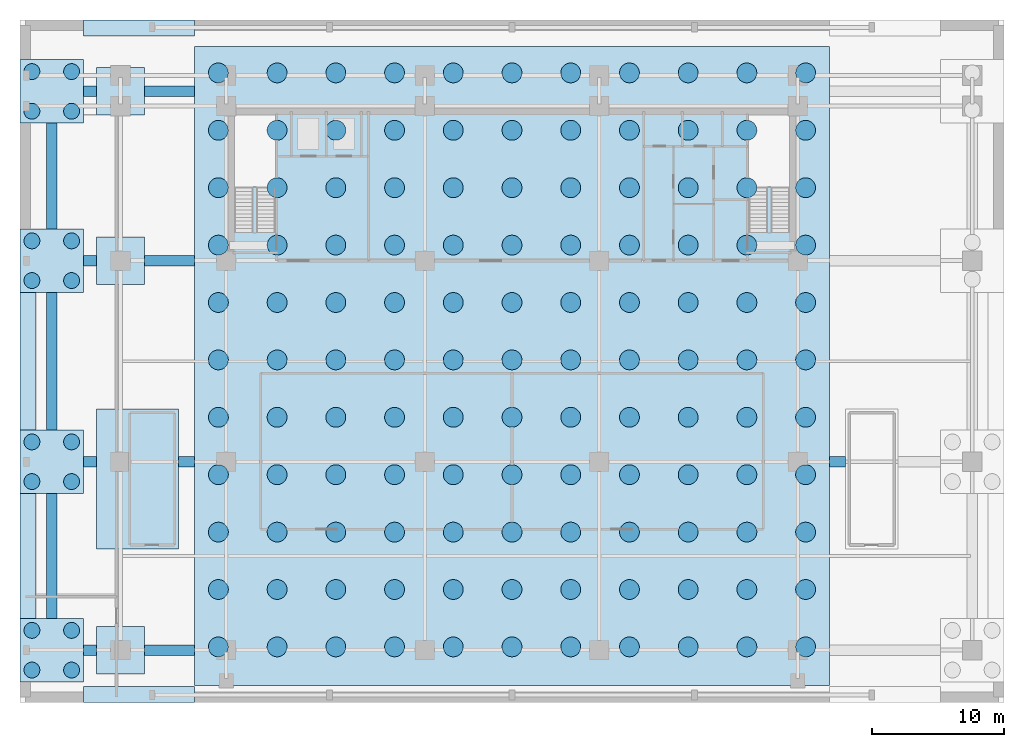
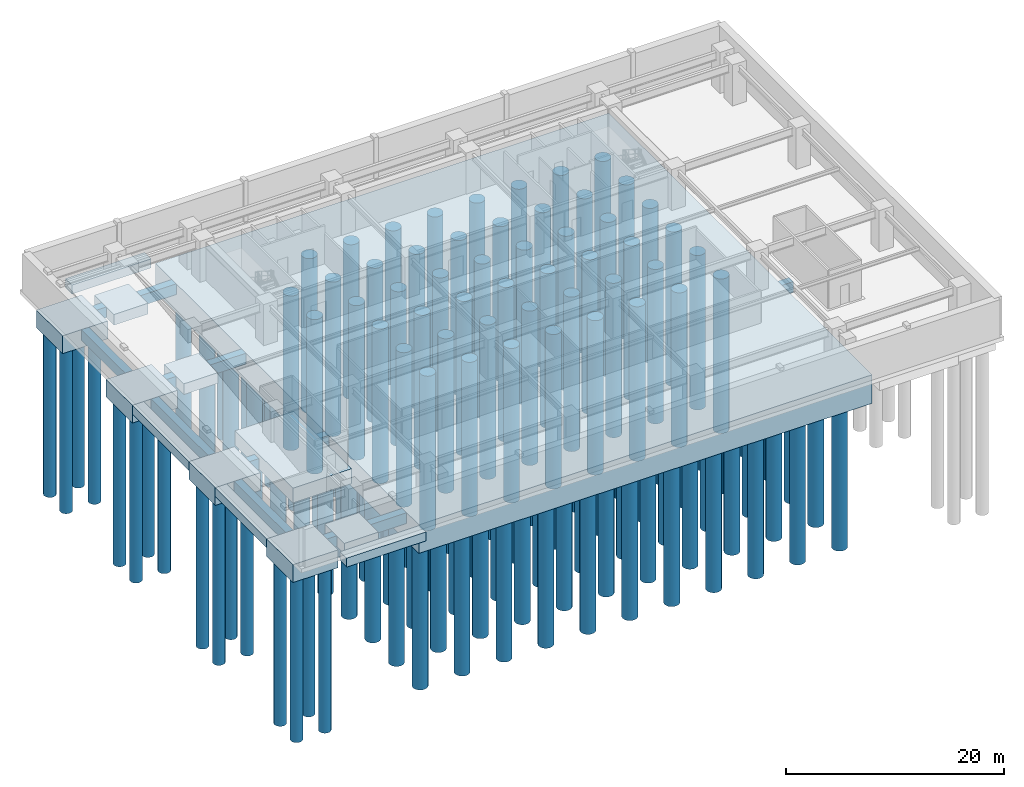
# One storey, part 1 of 9: 137 piles, 25 footings.
"""IFC4 building model written with IfcOpenShell, lengths in metres."""

import ifcopenshell
import ifcopenshell.guid

model = None  # the IFC model being written
_history = None  # IfcOwnerHistory: only IFC2X3 demands one
_inside = {}  # id of a spatial element -> (the spatial element, [elements in it])
_under = {}  # id of a project, library or spatial element -> (it, [spatial elements below it])
_declared = {}  # id of a project -> (the project, [libraries it declares])
_typed = {}  # id of a type object -> (the type object, [elements of that type])
_made_of = {}  # id of a material, layer set ... -> (it, [elements and type objects made of it])


def new_model(schema):
    """Start an empty IFC model of exactly this schema.

    Asked for "IFC4X3", IfcOpenShell would pick the latest addendum, in which some entities
    have other attributes; the version numbers below select the first issue.
    IFC2X3 requires an IfcOwnerHistory on every rooted entity: one is made here for all.
    """
    global model, _history
    if schema == "IFC4X3":
        model = ifcopenshell.file(schema_version=(4, 3, 0, 0))
    else:
        model = ifcopenshell.file(schema=schema)
    _inside.clear()
    _under.clear()
    _declared.clear()
    _typed.clear()
    _made_of.clear()
    _history = None
    if model.schema == "IFC2X3":
        org = make("IfcOrganization", Name="unknown")
        user = make(
            "IfcPersonAndOrganization",
            ThePerson=make("IfcPerson", FamilyName="unknown"),
            TheOrganization=org,
        )
        app = make(
            "IfcApplication",
            ApplicationDeveloper=org,
            Version="unknown",
            ApplicationFullName="unknown",
            ApplicationIdentifier="unknown",
        )
        _history = make(
            "IfcOwnerHistory",
            OwningUser=user,
            OwningApplication=app,
            ChangeAction="ADDED",
            CreationDate=0,
        )
    return model


def make(cls, **values):
    """One entity of the class cls with the attributes given. An attribute that is None is left unset."""
    return model.create_entity(
        cls, **{name: value for name, value in values.items() if value is not None}
    )


def rooted(cls, **values):
    """An entity with a GlobalId (a new one), such as an element, a storey or a relation."""
    return make(cls, GlobalId=ifcopenshell.guid.new(), OwnerHistory=_history, **values)


def si_unit(unit_type, name, prefix=None):
    """IfcSIUnit, for example si_unit("LENGTHUNIT", "METRE", prefix="MILLI")."""
    return make("IfcSIUnit", UnitType=unit_type, Prefix=prefix, Name=name)


def assignment(units):
    """IfcUnitAssignment: the units of a project."""
    return None if units is None else make("IfcUnitAssignment", Units=units)


def point(xyz):
    """IfcCartesianPoint."""
    return None if xyz is None else make("IfcCartesianPoint", Coordinates=xyz)


def direction(xyz):
    """IfcDirection."""
    return None if xyz is None else make("IfcDirection", DirectionRatios=xyz)


def frame(location, z_axis=None, x_axis=None):
    """IfcAxis2Placement3D, a coordinate frame: its origin and axes. An axis left out is left unset."""
    return make(
        "IfcAxis2Placement3D",
        Location=point(location),
        Axis=direction(z_axis),
        RefDirection=direction(x_axis),
    )


def frame_2d(location, x_axis=None):
    """IfcAxis2Placement2D, a coordinate frame in the plane: its origin and x axis."""
    return make(
        "IfcAxis2Placement2D", Location=point(location), RefDirection=direction(x_axis)
    )


def origin():
    """The frame at (0, 0, 0) with its axes left unset."""
    return frame((0.0, 0.0, 0.0))


def origin_2d():
    """The frame at (0, 0) in the plane with its x axis left unset."""
    return frame_2d((0.0, 0.0))


def place(relative_to, where):
    """IfcLocalPlacement: puts the frame where relative to a parent placement (None: the world)."""
    return make(
        "IfcLocalPlacement", PlacementRelTo=relative_to, RelativePlacement=where
    )


def context(
    kind, dimensions, precision=None, world=None, true_north=None, identifier=None
):
    """IfcGeometricRepresentationContext, for example the 3D "Model" context."""
    return make(
        "IfcGeometricRepresentationContext",
        ContextIdentifier=identifier,
        ContextType=kind,
        CoordinateSpaceDimension=dimensions,
        Precision=precision,
        WorldCoordinateSystem=world,
        TrueNorth=true_north,
    )


def subcontext(parent, identifier, kind, view, scale=None):
    """IfcGeometricRepresentationSubContext, for example "Body" below "Model"."""
    return make(
        "IfcGeometricRepresentationSubContext",
        ContextIdentifier=identifier,
        ContextType=kind,
        ParentContext=parent,
        TargetScale=scale,
        TargetView=view,
    )


def project(units=None, contexts=None):
    """IfcProject with its units and contexts."""
    return rooted(
        "IfcProject",
        Name="project",
        RepresentationContexts=contexts,
        UnitsInContext=assignment(units),
    )


def spatial(cls, under=None, at=None, **own):
    """A site, building, storey or space (cls), placed at a placement, below another one or the project."""
    s = rooted(cls, ObjectPlacement=at, **own)
    if under is not None:
        _under.setdefault(under.id(), (under, []))[1].append(s)
    return s


def polyline(points):
    """IfcPolyline through the points."""
    return make("IfcPolyline", Points=[point(p) for p in points])


def profile(cls, at=None, kind="AREA", **sizes):
    """A parametric profile (cls). Its sizes go by their IFC names, for example OverallWidth=200.0."""
    return make(cls, ProfileType=kind, Position=at, **sizes)


def rectangle(**sizes):
    """IfcRectangleProfileDef."""
    return profile("IfcRectangleProfileDef", **sizes)


def circle(**sizes):
    """IfcCircleProfileDef."""
    return profile("IfcCircleProfileDef", **sizes)


def outline(outer, holes=None, kind="AREA"):
    """IfcArbitraryClosedProfileDef: a profile drawn as a closed curve; with holes, ...WithVoids."""
    if holes is None:
        return make("IfcArbitraryClosedProfileDef", ProfileType=kind, OuterCurve=outer)
    return make(
        "IfcArbitraryProfileDefWithVoids",
        ProfileType=kind,
        OuterCurve=outer,
        InnerCurves=holes,
    )


def extrude(swept, where, along, depth):
    """IfcExtrudedAreaSolid: the profile swept, set in the frame where, extruded along a direction by depth."""
    return make(
        "IfcExtrudedAreaSolid",
        SweptArea=swept,
        Position=where,
        ExtrudedDirection=direction(along),
        Depth=depth,
    )


def shape(context_of_items, identifier, shape_type, items):
    """IfcShapeRepresentation: the items that make up one representation, for example the "Body"."""
    return make(
        "IfcShapeRepresentation",
        ContextOfItems=context_of_items,
        RepresentationIdentifier=identifier,
        RepresentationType=shape_type,
        Items=items,
    )


def source(mapping_origin, context_of_items, identifier, shape_type, items):
    """IfcRepresentationMap: a shape defined once, which mapped items show again and again."""
    return make(
        "IfcRepresentationMap",
        MappingOrigin=mapping_origin,
        MappedRepresentation=shape(context_of_items, identifier, shape_type, items),
    )


def transform(
    local_origin,
    x_axis=None,
    y_axis=None,
    z_axis=None,
    scale=None,
    scale2=None,
    scale3=None,
    uniform=True,
):
    """IfcCartesianTransformationOperator3D, or its non-uniform kind. x_axis, y_axis, z_axis: its Axis1, 2, 3."""
    if uniform:
        return make(
            "IfcCartesianTransformationOperator3D",
            Axis1=direction(x_axis),
            Axis2=direction(y_axis),
            LocalOrigin=point(local_origin),
            Scale=scale,
            Axis3=direction(z_axis),
        )
    return make(
        "IfcCartesianTransformationOperator3DnonUniform",
        Axis1=direction(x_axis),
        Axis2=direction(y_axis),
        LocalOrigin=point(local_origin),
        Scale=scale,
        Axis3=direction(z_axis),
        Scale2=scale2,
        Scale3=scale3,
    )


def mapped(mapping_source, mapping_target):
    """IfcMappedItem: shows the shape of a source again, moved by a transform."""
    return make(
        "IfcMappedItem", MappingSource=mapping_source, MappingTarget=mapping_target
    )


def material(Name=None, Category=None):
    """IfcMaterial."""
    return make("IfcMaterial", Name=Name, Category=Category)


def layer(
    of_material, thickness, ventilated=None, Name=None, Category=None, Priority=None
):
    """IfcMaterialLayer: one layer of a wall or slab, of a material (None: an air gap)."""
    return make(
        "IfcMaterialLayer",
        Material=of_material,
        LayerThickness=thickness,
        IsVentilated=ventilated,
        Name=Name,
        Category=Category,
        Priority=Priority,
    )


def layer_set(layers, Name=None):
    """IfcMaterialLayerSet."""
    return make("IfcMaterialLayerSet", MaterialLayers=layers, LayerSetName=Name)


def material_profile(
    of_material, cross_section, Name=None, Category=None, Priority=None
):
    """IfcMaterialProfile: a cross section and its material."""
    return make(
        "IfcMaterialProfile",
        Name=Name,
        Material=of_material,
        Profile=cross_section,
        Priority=Priority,
        Category=Category,
    )


def profile_set(profiles, Name=None, composite=None):
    """IfcMaterialProfileSet."""
    return make(
        "IfcMaterialProfileSet",
        Name=Name,
        MaterialProfiles=profiles,
        CompositeProfile=composite,
    )


def made_of(thing, what):
    """Note that an element or type object is made of a material, layer set ...; save() writes the relation."""
    if what is not None:
        _made_of.setdefault(what.id(), (what, []))[1].append(thing)
    return thing


def type_object(cls, material=None, **own):
    """A type object (cls), such as IfcWallType, which elements share."""
    return made_of(rooted(cls, **own), material)


def element(
    cls,
    number,
    at=None,
    inside=None,
    cuts=None,
    type_object=None,
    material=None,
    context=None,
    identifier="Body",
    shape_type=None,
    held_by="IfcProductDefinitionShape",
    body=None,
    shapes=None,
    **own,
):
    """One element of the class cls, such as IfcWall. Its Tag is "e" and its number.

    at: its placement. inside: the storey or other place that contains it. cuts: it is an
    opening in that element (IfcRelVoidsElement). A single representation is given by context,
    identifier, shape_type and body (its items); several are given by shapes. held_by: the class
    of the entity that holds the representations. save() writes the other relations.
    """
    e = rooted(cls, Tag="e%d" % number, ObjectPlacement=at, **own)
    if body is not None:
        shapes = [shape(context, identifier, shape_type, body)]
    if shapes is not None:
        e.Representation = make(held_by, Representations=shapes)
    if inside is not None:
        _inside.setdefault(inside.id(), (inside, []))[1].append(e)
    if cuts is not None:
        rooted(
            "IfcRelVoidsElement", RelatingBuildingElement=cuts, RelatedOpeningElement=e
        )
    if type_object is not None:
        _typed.setdefault(type_object.id(), (type_object, []))[1].append(e)
    return made_of(e, material)


def aggregate(whole, parts):
    """IfcRelAggregates: a whole, such as a stair, and the parts it consists of."""
    return rooted("IfcRelAggregates", RelatingObject=whole, RelatedObjects=parts)


def save(model, path):
    """Write the relations noted so far, then the file.

    IfcRelAggregates (storeys below a building ...), IfcRelContainedInSpatialStructure (elements
    in a storey), IfcRelDefinesByType, IfcRelAssociatesMaterial and IfcRelDeclares: one each for
    every whole, place, type object, material and project.
    """
    for whole, parts in _under.values():
        aggregate(whole, parts)
    for where, things in _inside.values():
        rooted(
            "IfcRelContainedInSpatialStructure",
            RelatedElements=things,
            RelatingStructure=where,
        )
    for kind, things in _typed.values():
        rooted("IfcRelDefinesByType", RelatedObjects=things, RelatingType=kind)
    for what, things in _made_of.values():
        rooted("IfcRelAssociatesMaterial", RelatedObjects=things, RelatingMaterial=what)
    for by, libraries in _declared.values():
        rooted("IfcRelDeclares", RelatingContext=by, RelatedDefinitions=libraries)
    model.write(path)


model = new_model("IFC4")

# Units and contexts
model_context = context("Model", 3, precision=1e-05, world=origin(), true_north=direction((0.0, 1.0)))
body_context = subcontext(model_context, "Body", "Model", "MODEL_VIEW")
ifc_project = project(units=[si_unit("LENGTHUNIT", "METRE"), si_unit("AREAUNIT", "SQUARE_METRE"), si_unit("VOLUMEUNIT", "CUBIC_METRE"), si_unit("PLANEANGLEUNIT", "RADIAN"), si_unit("MASSUNIT", "GRAM", prefix="KILO")], contexts=[model_context])

# Site, building, storey
site_placement = place(None, origin())
site = spatial("IfcSite", under=ifc_project, at=site_placement, CompositionType="ELEMENT")
building_placement = place(site_placement, origin())
building = spatial("IfcBuilding", under=site, at=building_placement, Name="Trelvane Seafront Commons", CompositionType="ELEMENT")
storey_placement = place(building_placement, frame((0.0, 0.0, -13.199951171875)))
storey = spatial("IfcBuildingStorey", under=building, at=storey_placement, Name="B03", CompositionType="ELEMENT", Elevation=-13.199951171875)

# Footings
ifc_material = material(Name="Concrete C50/60", Category="concrete")
ifc_layer_1 = layer(ifc_material, 1.800048828125, Name="STR-PCAP-4800")
ifc_layer_set_1 = layer_set([ifc_layer_1], Name="Concrete C50/60")
footing_type_1 = type_object("IfcFootingType", Name="STR-PCAP-4800", PredefinedType="PILE_CAP", material=ifc_layer_set_1)
footing_1_placement = place(storey_placement, frame((0.0, 0.0, -2.449951171875)))
element("IfcFooting", 1, at=footing_1_placement, inside=storey, type_object=footing_type_1, Name="Podium Pile Cap PC-01", PredefinedType="PILE_CAP", context=body_context, shape_type="SweptSolid", body=[
    extrude(outline(polyline([(0.0, 1.550048828125), (4.800048828125, 1.550048828125), (4.800048828125, 6.35009765625), (0.0, 6.35009765625), (0.0, 1.550048828125)])), origin(), (0.0, 0.0, 1.0), 2.0),
])
footing_2_placement = place(storey_placement, frame((0.0, 0.0, -2.449951171875)))
element("IfcFooting", 2, at=footing_2_placement, inside=storey, type_object=footing_type_1, Name="Podium Pile Cap PC-02", PredefinedType="PILE_CAP", context=body_context, shape_type="SweptSolid", body=[
    extrude(outline(polyline([(0.0, 15.800048828125), (4.800048828125, 15.800048828125), (4.800048828125, 20.60009765625), (0.0, 20.60009765625), (0.0, 15.800048828125)])), origin(), (0.0, 0.0, 1.0), 2.0),
])
footing_3_placement = place(storey_placement, frame((0.0, 0.0, -2.449951171875)))
element("IfcFooting", 3, at=footing_3_placement, inside=storey, type_object=footing_type_1, Name="Podium Pile Cap PC-03", PredefinedType="PILE_CAP", context=body_context, shape_type="SweptSolid", body=[
    extrude(outline(polyline([(0.0, 31.0), (4.800048828125, 31.0), (4.800048828125, 35.800048828125), (0.0, 35.800048828125), (0.0, 31.0)])), origin(), (0.0, 0.0, 1.0), 2.0),
])
footing_4_placement = place(storey_placement, frame((0.0, 0.0, -2.449951171875)))
element("IfcFooting", 4, at=footing_4_placement, inside=storey, type_object=footing_type_1, Name="Podium Pile Cap PC-04", PredefinedType="PILE_CAP", context=body_context, shape_type="SweptSolid", body=[
    extrude(outline(polyline([(0.0, 43.800048828125), (4.800048828125, 43.800048828125), (4.800048828125, 48.60009765625), (0.0, 48.60009765625), (0.0, 43.800048828125)])), origin(), (0.0, 0.0, 1.0), 2.0),
])
footing_5_placement = place(storey_placement, frame((0.0, 0.0, -1.650146484375)))
element("IfcFooting", 5, at=footing_5_placement, inside=storey, type_object=footing_type_1, Name="Ramp Spine Column Pad Footing PF-1", PredefinedType="PILE_CAP", context=body_context, shape_type="SweptSolid", body=[
    extrude(outline(polyline([(5.800048828125, 2.14990234375), (9.39990234375, 2.14990234375), (9.39990234375, 5.75), (5.800048828125, 5.75), (5.800048828125, 2.14990234375)])), origin(), (0.0, 0.0, 1.0), 1.2001953125),
])
footing_6_placement = place(storey_placement, frame((0.0, 0.0, -1.650146484375)))
element("IfcFooting", 6, at=footing_6_placement, inside=storey, type_object=footing_type_1, Name="Ramp Spine Column Pad Footing PF-2", PredefinedType="PILE_CAP", context=body_context, shape_type="SweptSolid", body=[
    extrude(outline(polyline([(5.800048828125, 31.60009765625), (9.39990234375, 31.60009765625), (9.39990234375, 35.199951171875), (5.800048828125, 35.199951171875), (5.800048828125, 31.60009765625)])), origin(), (0.0, 0.0, 1.0), 1.2001953125),
])
footing_7_placement = place(storey_placement, frame((0.0, 0.0, -1.650146484375)))
element("IfcFooting", 7, at=footing_7_placement, inside=storey, type_object=footing_type_1, Name="Ramp Spine Column Pad Footing PF-3", PredefinedType="PILE_CAP", context=body_context, shape_type="SweptSolid", body=[
    extrude(outline(polyline([(5.800048828125, 44.39990234375), (9.39990234375, 44.39990234375), (9.39990234375, 48.0), (5.800048828125, 48.0), (5.800048828125, 44.39990234375)])), origin(), (0.0, 0.0, 1.0), 1.2001953125),
])
footing_8_placement = place(storey_placement, frame((0.0, 0.0, -1.650146484375)))
element("IfcFooting", 8, at=footing_8_placement, inside=storey, type_object=footing_type_1, Name="Podium Stair ST3 Strip Foundation", PredefinedType="PILE_CAP", context=body_context, shape_type="SweptSolid", body=[
    extrude(outline(polyline([(5.800048828125, 11.60009765625), (12.0, 11.60009765625), (12.0, 22.199951171875), (5.800048828125, 22.199951171875), (5.800048828125, 11.60009765625)])), origin(), (0.0, 0.0, 1.0), 1.650146484375),
])
ifc_layer_2 = layer(ifc_material, 3.199951171875, Name="STR-RAFT-3200")
ifc_layer_set_2 = layer_set([ifc_layer_2], Name="Concrete C50/60")
footing_type_2 = type_object("IfcFootingType", Name="STR-RAFT-3200", PredefinedType="PILE_CAP", material=ifc_layer_set_2)
footing_9_placement = place(storey_placement, frame((0.0, 0.0, -3.650146484375)))
element("IfcFooting", 9, at=footing_9_placement, inside=storey, type_object=footing_type_2, Name="Tower and Rear Core Piled Raft Mat", PredefinedType="PILE_CAP", context=body_context, shape_type="SweptSolid", body=[
    extrude(outline(polyline([(13.199951171875, 1.300048828125), (61.199951171875, 1.300048828125), (61.199951171875, 49.60009765625), (13.199951171875, 49.60009765625), (13.199951171875, 1.300048828125)])), origin(), (0.0, 0.0, 1.0), 3.2001953125),
])
ifc_layer_3 = layer(ifc_material, 1.0, Name="STR-SFT-1200x1000")
ifc_layer_set_3 = layer_set([ifc_layer_3], Name="Concrete C50/60")
footing_type_3 = type_object("IfcFootingType", Name="STR-SFT-1200x1000", PredefinedType="STRIP_FOOTING", material=ifc_layer_set_3)
footing_10_placement = place(storey_placement, frame((0.0, 0.0, -1.449951171875)))
element("IfcFooting", 10, at=footing_10_placement, inside=storey, type_object=footing_type_3, Name="Diaphragm Strip Footing SF-S-W", PredefinedType="STRIP_FOOTING", context=body_context, shape_type="SweptSolid", body=[
    extrude(outline(polyline([(4.800048828125, 0.0), (13.199951171875, 0.0), (13.199951171875, 1.199951171875), (4.800048828125, 1.199951171875), (4.800048828125, 0.0)])), origin(), (0.0, 0.0, 1.0), 1.0),
])
footing_11_placement = place(storey_placement, frame((0.0, 0.0, -1.449951171875)))
element("IfcFooting", 11, at=footing_11_placement, inside=storey, type_object=footing_type_3, Name="Diaphragm Strip Footing SF-N-W", PredefinedType="STRIP_FOOTING", context=body_context, shape_type="SweptSolid", body=[
    extrude(outline(polyline([(4.800048828125, 50.39990234375), (13.199951171875, 50.39990234375), (13.199951171875, 51.60009765625), (4.800048828125, 51.60009765625), (4.800048828125, 50.39990234375)])), origin(), (0.0, 0.0, 1.0), 1.0),
])
footing_12_placement = place(storey_placement, frame((0.0, 0.0, -1.449951171875)))
element("IfcFooting", 12, at=footing_12_placement, inside=storey, type_object=footing_type_3, Name="Diaphragm Strip Footing SF-W-M1", PredefinedType="STRIP_FOOTING", context=body_context, shape_type="SweptSolid", body=[
    extrude(outline(polyline([(0.0, 6.35009765625), (1.199951171875, 6.35009765625), (1.199951171875, 15.800048828125), (0.0, 15.800048828125), (0.0, 6.35009765625)])), origin(), (0.0, 0.0, 1.0), 1.0),
])
footing_13_placement = place(storey_placement, frame((0.0, 0.0, -1.449951171875)))
element("IfcFooting", 13, at=footing_13_placement, inside=storey, type_object=footing_type_3, Name="Diaphragm Strip Footing SF-W-M2", PredefinedType="STRIP_FOOTING", context=body_context, shape_type="SweptSolid", body=[
    extrude(outline(polyline([(0.0, 20.60009765625), (1.199951171875, 20.60009765625), (1.199951171875, 31.0), (0.0, 31.0), (0.0, 20.60009765625)])), origin(), (0.0, 0.0, 1.0), 1.0),
])

# Piles
ifc_material_profile_1 = material_profile(ifc_material, circle(Radius=0.75, at=origin_2d()), Name="PILE-1500")
ifc_profile_set_1 = profile_set([ifc_material_profile_1], Name="Concrete C50/60")
pile_type_1 = type_object("IfcPileType", Name="STR-PILE-1500", PredefinedType="BORED", material=ifc_profile_set_1)
shared_shape_1 = source(origin(), body_context, "Body", "SweptSolid", [
    extrude(circle(Radius=0.75, at=origin_2d()), origin(), (0.0, 0.0, 1.0), 17.300048828125),
])
for number, where, z_axis, x_axis, name in (
    (14, (15.0, 4.199951171875, -3.5), (0.0, 0.0, -1.0), (1.0, 0.0, 0.0), "Tower Raft Bored Pile P1-001"),
    (15, (15.0, 8.5400390625, -3.5), (0.0, 0.0, -1.0), (1.0, 0.0, 0.0), "Tower Raft Bored Pile P1-002"),
    (16, (15.0, 12.8798828125, -3.5), (0.0, 0.0, -1.0), (1.0, 0.0, 0.0), "Tower Raft Bored Pile P1-003"),
    (17, (15.0, 17.219970703125, -3.5), (0.0, 0.0, -1.0), (1.0, 0.0, 0.0), "Tower Raft Bored Pile P1-004"),
    (18, (15.0, 21.56005859375, -3.5), (0.0, 0.0, -1.0), (1.0, 0.0, 0.0), "Tower Raft Bored Pile P1-005"),
    (19, (15.0, 25.89990234375, -3.5), (0.0, 0.0, -1.0), (1.0, 0.0, 0.0), "Tower Raft Bored Pile P1-006"),
    (20, (15.0, 30.239990234375, -3.5), (0.0, 0.0, -1.0), (1.0, 0.0, 0.0), "Tower Raft Bored Pile P1-007"),
    (21, (15.0, 34.580078125, -3.5), (0.0, 0.0, -1.0), (1.0, 0.0, 0.0), "Tower Raft Bored Pile P1-008"),
    (22, (15.0, 38.919921875, -3.5), (0.0, 0.0, -1.0), (1.0, 0.0, 0.0), "Tower Raft Bored Pile P1-009"),
    (23, (15.0, 43.260009765625, -3.5), (0.0, 0.0, -1.0), (1.0, 0.0, 0.0), "Tower Raft Bored Pile P1-010"),
    (24, (15.0, 47.60009765625, -3.5), (0.0, 0.0, -1.0), (1.0, 0.0, 0.0), "Tower Raft Bored Pile P1-011"),
    (25, (19.43994140625, 4.199951171875, -3.5), (0.0, 0.0, -1.0), (1.0, 0.0, 0.0), "Tower Raft Bored Pile P1-012"),
    (26, (19.43994140625, 8.5400390625, -3.5), (0.0, 0.0, -1.0), (1.0, 0.0, 0.0), "Tower Raft Bored Pile P1-013"),
    (27, (19.43994140625, 12.8798828125, -3.5), (0.0, 0.0, -1.0), (1.0, 0.0, 0.0), "Tower Raft Bored Pile P1-014"),
    (28, (19.43994140625, 17.219970703125, -3.5), (0.0, 0.0, -1.0), (1.0, 0.0, 0.0), "Tower Raft Bored Pile P1-015"),
    (29, (19.43994140625, 21.56005859375, -3.5), (0.0, 0.0, -1.0), (1.0, 0.0, 0.0), "Tower Raft Bored Pile P1-016"),
    (30, (19.43994140625, 25.89990234375, -3.5), (0.0, 0.0, -1.0), (1.0, 0.0, 0.0), "Tower Raft Bored Pile P1-017"),
    (31, (19.43994140625, 30.239990234375, -3.5), (0.0, 0.0, -1.0), (1.0, 0.0, 0.0), "Tower Raft Bored Pile P1-018"),
    (32, (19.43994140625, 34.580078125, -3.5), (0.0, 0.0, -1.0), (1.0, 0.0, 0.0), "Tower Raft Bored Pile P1-019"),
    (33, (19.43994140625, 38.919921875, -3.5), (0.0, 0.0, -1.0), (1.0, 0.0, 0.0), "Tower Raft Bored Pile P1-020"),
    (34, (19.43994140625, 43.260009765625, -3.5), (0.0, 0.0, -1.0), (1.0, 0.0, 0.0), "Tower Raft Bored Pile P1-021"),
    (35, (19.43994140625, 47.60009765625, -3.5), (0.0, 0.0, -1.0), (1.0, 0.0, 0.0), "Tower Raft Bored Pile P1-022"),
    (36, (23.8798828125, 4.199951171875, -3.5), (0.0, 0.0, -1.0), (1.0, 0.0, 0.0), "Tower Raft Bored Pile P1-023"),
    (37, (23.8798828125, 8.5400390625, -3.5), (0.0, 0.0, -1.0), (1.0, 0.0, 0.0), "Tower Raft Bored Pile P1-024"),
    (38, (23.8798828125, 12.8798828125, -3.5), (0.0, 0.0, -1.0), (1.0, 0.0, 0.0), "Tower Raft Bored Pile P1-025"),
    (39, (23.8798828125, 17.219970703125, -3.5), (0.0, 0.0, -1.0), (1.0, 0.0, 0.0), "Tower Raft Bored Pile P1-026"),
    (40, (23.8798828125, 21.56005859375, -3.5), (0.0, 0.0, -1.0), (1.0, 0.0, 0.0), "Tower Raft Bored Pile P1-027"),
    (41, (23.8798828125, 25.89990234375, -3.5), (0.0, 0.0, -1.0), (1.0, 0.0, 0.0), "Tower Raft Bored Pile P1-028"),
    (42, (23.8798828125, 30.239990234375, -3.5), (0.0, 0.0, -1.0), (1.0, 0.0, 0.0), "Tower Raft Bored Pile P1-029"),
    (43, (23.8798828125, 34.580078125, -3.5), (0.0, 0.0, -1.0), (1.0, 0.0, 0.0), "Tower Raft Bored Pile P1-030"),
    (44, (23.8798828125, 38.919921875, -3.5), (0.0, 0.0, -1.0), (1.0, 0.0, 0.0), "Tower Raft Bored Pile P1-031"),
    (45, (23.8798828125, 43.260009765625, -3.5), (0.0, 0.0, -1.0), (1.0, 0.0, 0.0), "Tower Raft Bored Pile P1-032"),
    (46, (23.8798828125, 47.60009765625, -3.5), (0.0, 0.0, -1.0), (1.0, 0.0, 0.0), "Tower Raft Bored Pile P1-033"),
    (47, (28.320068359375, 4.199951171875, -3.5), (0.0, 0.0, -1.0), (1.0, 0.0, 0.0), "Tower Raft Bored Pile P1-034"),
    (48, (28.320068359375, 8.5400390625, -3.5), (0.0, 0.0, -1.0), (1.0, 0.0, 0.0), "Tower Raft Bored Pile P1-035"),
    (49, (28.320068359375, 12.8798828125, -3.5), (0.0, 0.0, -1.0), (1.0, 0.0, 0.0), "Tower Raft Bored Pile P1-036"),
    (50, (28.320068359375, 17.219970703125, -3.5), (0.0, 0.0, -1.0), (1.0, 0.0, 0.0), "Tower Raft Bored Pile P1-037"),
    (51, (28.320068359375, 21.56005859375, -3.5), (0.0, 0.0, -1.0), (1.0, 0.0, 0.0), "Tower Raft Bored Pile P1-038"),
    (52, (28.320068359375, 25.89990234375, -3.5), (0.0, 0.0, -1.0), (1.0, 0.0, 0.0), "Tower Raft Bored Pile P1-039"),
    (53, (28.320068359375, 30.239990234375, -3.5), (0.0, 0.0, -1.0), (1.0, 0.0, 0.0), "Tower Raft Bored Pile P1-040"),
    (54, (28.320068359375, 34.580078125, -3.5), (0.0, 0.0, -1.0), (1.0, 0.0, 0.0), "Tower Raft Bored Pile P1-041"),
    (55, (28.320068359375, 38.919921875, -3.5), (0.0, 0.0, -1.0), (1.0, 0.0, 0.0), "Tower Raft Bored Pile P1-042"),
    (56, (28.320068359375, 43.260009765625, -3.5), (0.0, 0.0, -1.0), (1.0, 0.0, 0.0), "Tower Raft Bored Pile P1-043"),
    (57, (28.320068359375, 47.60009765625, -3.5), (0.0, 0.0, -1.0), (1.0, 0.0, 0.0), "Tower Raft Bored Pile P1-044"),
    (58, (32.760009765625, 4.199951171875, -3.5), (0.0, 0.0, -1.0), (1.0, 0.0, 0.0), "Tower Raft Bored Pile P1-045"),
    (59, (32.760009765625, 8.5400390625, -3.5), (0.0, 0.0, -1.0), (1.0, 0.0, 0.0), "Tower Raft Bored Pile P1-046"),
    (60, (32.760009765625, 12.8798828125, -3.5), (0.0, 0.0, -1.0), (1.0, 0.0, 0.0), "Tower Raft Bored Pile P1-047"),
    (61, (32.760009765625, 17.219970703125, -3.5), (0.0, 0.0, -1.0), (1.0, 0.0, 0.0), "Tower Raft Bored Pile P1-048"),
    (62, (32.760009765625, 21.56005859375, -3.5), (0.0, 0.0, -1.0), (1.0, 0.0, 0.0), "Tower Raft Bored Pile P1-049"),
    (63, (32.760009765625, 25.89990234375, -3.5), (0.0, 0.0, -1.0), (1.0, 0.0, 0.0), "Tower Raft Bored Pile P1-050"),
    (64, (32.760009765625, 30.239990234375, -3.5), (0.0, 0.0, -1.0), (1.0, 0.0, 0.0), "Tower Raft Bored Pile P1-051"),
    (65, (32.760009765625, 34.580078125, -3.5), (0.0, 0.0, -1.0), (1.0, 0.0, 0.0), "Tower Raft Bored Pile P1-052"),
    (66, (32.760009765625, 38.919921875, -3.5), (0.0, 0.0, -1.0), (1.0, 0.0, 0.0), "Tower Raft Bored Pile P1-053"),
    (67, (32.760009765625, 43.260009765625, -3.5), (0.0, 0.0, -1.0), (1.0, 0.0, 0.0), "Tower Raft Bored Pile P1-054"),
    (68, (32.760009765625, 47.60009765625, -3.5), (0.0, 0.0, -1.0), (1.0, 0.0, 0.0), "Tower Raft Bored Pile P1-055"),
    (69, (37.199951171875, 4.199951171875, -3.5), (0.0, 0.0, -1.0), (1.0, 0.0, 0.0), "Tower Raft Bored Pile P1-056"),
    (70, (37.199951171875, 8.5400390625, -3.5), (0.0, 0.0, -1.0), (1.0, 0.0, 0.0), "Tower Raft Bored Pile P1-057"),
    (71, (37.199951171875, 12.8798828125, -3.5), (0.0, 0.0, -1.0), (1.0, 0.0, 0.0), "Tower Raft Bored Pile P1-058"),
    (72, (37.199951171875, 17.219970703125, -3.5), (0.0, 0.0, -1.0), (1.0, 0.0, 0.0), "Tower Raft Bored Pile P1-059"),
    (73, (37.199951171875, 21.56005859375, -3.5), (0.0, 0.0, -1.0), (1.0, 0.0, 0.0), "Tower Raft Bored Pile P1-060"),
    (74, (37.199951171875, 25.89990234375, -3.5), (0.0, 0.0, -1.0), (1.0, 0.0, 0.0), "Tower Raft Bored Pile P1-061"),
    (75, (37.199951171875, 30.239990234375, -3.5), (0.0, 0.0, -1.0), (1.0, 0.0, 0.0), "Tower Raft Bored Pile P1-062"),
    (76, (37.199951171875, 34.580078125, -3.5), (0.0, 0.0, -1.0), (1.0, 0.0, 0.0), "Tower Raft Bored Pile P1-063"),
    (77, (37.199951171875, 38.919921875, -3.5), (0.0, 0.0, -1.0), (1.0, 0.0, 0.0), "Tower Raft Bored Pile P1-064"),
    (78, (37.199951171875, 43.260009765625, -3.5), (0.0, 0.0, -1.0), (1.0, 0.0, 0.0), "Tower Raft Bored Pile P1-065"),
    (79, (37.199951171875, 47.60009765625, -3.5), (0.0, 0.0, -1.0), (1.0, 0.0, 0.0), "Tower Raft Bored Pile P1-066"),
    (80, (41.639892578125, 4.199951171875, -3.5), (0.0, 0.0, -1.0), (1.0, 0.0, 0.0), "Tower Raft Bored Pile P1-067"),
    (81, (41.639892578125, 8.5400390625, -3.5), (0.0, 0.0, -1.0), (1.0, 0.0, 0.0), "Tower Raft Bored Pile P1-068"),
    (82, (41.639892578125, 12.8798828125, -3.5), (0.0, 0.0, -1.0), (1.0, 0.0, 0.0), "Tower Raft Bored Pile P1-069"),
    (83, (41.639892578125, 17.219970703125, -3.5), (0.0, 0.0, -1.0), (1.0, 0.0, 0.0), "Tower Raft Bored Pile P1-070"),
    (84, (41.639892578125, 21.56005859375, -3.5), (0.0, 0.0, -1.0), (1.0, 0.0, 0.0), "Tower Raft Bored Pile P1-071"),
    (85, (41.639892578125, 25.89990234375, -3.5), (0.0, 0.0, -1.0), (1.0, 0.0, 0.0), "Tower Raft Bored Pile P1-072"),
    (86, (41.639892578125, 30.239990234375, -3.5), (0.0, 0.0, -1.0), (1.0, 0.0, 0.0), "Tower Raft Bored Pile P1-073"),
    (87, (41.639892578125, 34.580078125, -3.5), (0.0, 0.0, -1.0), (1.0, 0.0, 0.0), "Tower Raft Bored Pile P1-074"),
    (88, (41.639892578125, 38.919921875, -3.5), (0.0, 0.0, -1.0), (1.0, 0.0, 0.0), "Tower Raft Bored Pile P1-075"),
    (89, (41.639892578125, 43.260009765625, -3.5), (0.0, 0.0, -1.0), (1.0, 0.0, 0.0), "Tower Raft Bored Pile P1-076"),
    (90, (41.639892578125, 47.60009765625, -3.5), (0.0, 0.0, -1.0), (1.0, 0.0, 0.0), "Tower Raft Bored Pile P1-077"),
    (91, (46.080078125, 4.199951171875, -3.5), (0.0, 0.0, -1.0), (1.0, 0.0, 0.0), "Tower Raft Bored Pile P1-078"),
    (92, (46.080078125, 8.5400390625, -3.5), (0.0, 0.0, -1.0), (1.0, 0.0, 0.0), "Tower Raft Bored Pile P1-079"),
    (93, (46.080078125, 12.8798828125, -3.5), (0.0, 0.0, -1.0), (1.0, 0.0, 0.0), "Tower Raft Bored Pile P1-080"),
    (94, (46.080078125, 17.219970703125, -3.5), (0.0, 0.0, -1.0), (1.0, 0.0, 0.0), "Tower Raft Bored Pile P1-081"),
    (95, (46.080078125, 21.56005859375, -3.5), (0.0, 0.0, -1.0), (1.0, 0.0, 0.0), "Tower Raft Bored Pile P1-082"),
    (96, (46.080078125, 25.89990234375, -3.5), (0.0, 0.0, -1.0), (1.0, 0.0, 0.0), "Tower Raft Bored Pile P1-083"),
    (97, (46.080078125, 30.239990234375, -3.5), (0.0, 0.0, -1.0), (1.0, 0.0, 0.0), "Tower Raft Bored Pile P1-084"),
    (98, (46.080078125, 34.580078125, -3.5), (0.0, 0.0, -1.0), (1.0, 0.0, 0.0), "Tower Raft Bored Pile P1-085"),
    (99, (46.080078125, 38.919921875, -3.5), (0.0, 0.0, -1.0), (1.0, 0.0, 0.0), "Tower Raft Bored Pile P1-086"),
    (100, (46.080078125, 43.260009765625, -3.5), (0.0, 0.0, -1.0), (1.0, 0.0, 0.0), "Tower Raft Bored Pile P1-087"),
    (101, (46.080078125, 47.60009765625, -3.5), (0.0, 0.0, -1.0), (1.0, 0.0, 0.0), "Tower Raft Bored Pile P1-088"),
    (102, (50.52001953125, 4.199951171875, -3.5), (0.0, 0.0, -1.0), (1.0, 0.0, 0.0), "Tower Raft Bored Pile P1-089"),
    (103, (50.52001953125, 8.5400390625, -3.5), (0.0, 0.0, -1.0), (1.0, 0.0, 0.0), "Tower Raft Bored Pile P1-090"),
    (104, (50.52001953125, 12.8798828125, -3.5), (0.0, 0.0, -1.0), (1.0, 0.0, 0.0), "Tower Raft Bored Pile P1-091"),
    (105, (50.52001953125, 17.219970703125, -3.5), (0.0, 0.0, -1.0), (1.0, 0.0, 0.0), "Tower Raft Bored Pile P1-092"),
    (106, (50.52001953125, 21.56005859375, -3.5), (0.0, 0.0, -1.0), (1.0, 0.0, 0.0), "Tower Raft Bored Pile P1-093"),
    (107, (50.52001953125, 25.89990234375, -3.5), (0.0, 0.0, -1.0), (1.0, 0.0, 0.0), "Tower Raft Bored Pile P1-094"),
    (108, (50.52001953125, 30.239990234375, -3.5), (0.0, 0.0, -1.0), (1.0, 0.0, 0.0), "Tower Raft Bored Pile P1-095"),
    (109, (50.52001953125, 34.580078125, -3.5), (0.0, 0.0, -1.0), (1.0, 0.0, 0.0), "Tower Raft Bored Pile P1-096"),
    (110, (50.52001953125, 38.919921875, -3.5), (0.0, 0.0, -1.0), (1.0, 0.0, 0.0), "Tower Raft Bored Pile P1-097"),
    (111, (50.52001953125, 43.260009765625, -3.5), (0.0, 0.0, -1.0), (1.0, 0.0, 0.0), "Tower Raft Bored Pile P1-098"),
    (112, (50.52001953125, 47.60009765625, -3.5), (0.0, 0.0, -1.0), (1.0, 0.0, 0.0), "Tower Raft Bored Pile P1-099"),
    (113, (54.9599609375, 4.199951171875, -3.5), (0.0, 0.0, -1.0), (1.0, 0.0, 0.0), "Tower Raft Bored Pile P1-100"),
    (114, (54.9599609375, 8.5400390625, -3.5), (0.0, 0.0, -1.0), (1.0, 0.0, 0.0), "Tower Raft Bored Pile P1-101"),
    (115, (54.9599609375, 12.8798828125, -3.5), (0.0, 0.0, -1.0), (1.0, 0.0, 0.0), "Tower Raft Bored Pile P1-102"),
    (116, (54.9599609375, 17.219970703125, -3.5), (0.0, 0.0, -1.0), (1.0, 0.0, 0.0), "Tower Raft Bored Pile P1-103"),
    (117, (54.9599609375, 21.56005859375, -3.5), (0.0, 0.0, -1.0), (1.0, 0.0, 0.0), "Tower Raft Bored Pile P1-104"),
    (118, (54.9599609375, 25.89990234375, -3.5), (0.0, 0.0, -1.0), (1.0, 0.0, 0.0), "Tower Raft Bored Pile P1-105"),
    (119, (54.9599609375, 30.239990234375, -3.5), (0.0, 0.0, -1.0), (1.0, 0.0, 0.0), "Tower Raft Bored Pile P1-106"),
    (120, (54.9599609375, 34.580078125, -3.5), (0.0, 0.0, -1.0), (1.0, 0.0, 0.0), "Tower Raft Bored Pile P1-107"),
    (121, (54.9599609375, 38.919921875, -3.5), (0.0, 0.0, -1.0), (1.0, 0.0, 0.0), "Tower Raft Bored Pile P1-108"),
    (122, (54.9599609375, 43.260009765625, -3.5), (0.0, 0.0, -1.0), (1.0, 0.0, 0.0), "Tower Raft Bored Pile P1-109"),
    (123, (54.9599609375, 47.60009765625, -3.5), (0.0, 0.0, -1.0), (1.0, 0.0, 0.0), "Tower Raft Bored Pile P1-110"),
    (124, (59.39990234375, 4.199951171875, -3.5), (0.0, 0.0, -1.0), (1.0, 0.0, 0.0), "Tower Raft Bored Pile P1-111"),
    (125, (59.39990234375, 8.5400390625, -3.5), (0.0, 0.0, -1.0), (1.0, 0.0, 0.0), "Tower Raft Bored Pile P1-112"),
    (126, (59.39990234375, 12.8798828125, -3.5), (0.0, 0.0, -1.0), (1.0, 0.0, 0.0), "Tower Raft Bored Pile P1-113"),
    (127, (59.39990234375, 17.219970703125, -3.5), (0.0, 0.0, -1.0), (1.0, 0.0, 0.0), "Tower Raft Bored Pile P1-114"),
    (128, (59.39990234375, 21.56005859375, -3.5), (0.0, 0.0, -1.0), (1.0, 0.0, 0.0), "Tower Raft Bored Pile P1-115"),
    (129, (59.39990234375, 25.89990234375, -3.5), (0.0, 0.0, -1.0), (1.0, 0.0, 0.0), "Tower Raft Bored Pile P1-116"),
    (130, (59.39990234375, 30.239990234375, -3.5), (0.0, 0.0, -1.0), (1.0, 0.0, 0.0), "Tower Raft Bored Pile P1-117"),
    (131, (59.39990234375, 34.580078125, -3.5), (0.0, 0.0, -1.0), (1.0, 0.0, 0.0), "Tower Raft Bored Pile P1-118"),
    (132, (59.39990234375, 38.919921875, -3.5), (0.0, 0.0, -1.0), (1.0, 0.0, 0.0), "Tower Raft Bored Pile P1-119"),
    (133, (59.39990234375, 43.260009765625, -3.5), (0.0, 0.0, -1.0), (1.0, 0.0, 0.0), "Tower Raft Bored Pile P1-120"),
    (134, (59.39990234375, 47.60009765625, -3.5), (0.0, 0.0, -1.0), (1.0, 0.0, 0.0), "Tower Raft Bored Pile P1-121"),
):
    element("IfcPile", number, at=place(storey_placement, frame(where, z_axis=z_axis, x_axis=x_axis)), inside=storey, type_object=pile_type_1, Name=name, PredefinedType="BORED", context=body_context, shape_type="MappedRepresentation", body=[
        mapped(shared_shape_1, transform((0.0, 0.0, 0.0), x_axis=(1.0, 0.0, 0.0), y_axis=(0.0, 1.0, 0.0), z_axis=(0.0, 0.0, 1.0), scale=1.0)),
    ])
ifc_material_profile_2 = material_profile(ifc_material, circle(Radius=0.60009765625, at=origin_2d()), Name="PILE-1200")
ifc_profile_set_2 = profile_set([ifc_material_profile_2], Name="Concrete C50/60")
pile_type_2 = type_object("IfcPileType", Name="STR-PILE-1200", PredefinedType="BORED", material=ifc_profile_set_2)
shared_shape_2 = source(origin(), body_context, "Body", "SweptSolid", [
    extrude(circle(Radius=0.60009765625, at=origin_2d()), origin(), (0.0, 0.0, 1.0), 18.5),
])
for number, where, z_axis, x_axis, name in (
    (135, (0.89990234375, 2.449951171875, -2.300048828125), (0.0, 0.0, -1.0), (1.0, 0.0, 0.0), "Podium Cap Bored Pile P2-01-1"),
    (136, (3.89990234375, 2.449951171875, -2.300048828125), (0.0, 0.0, -1.0), (1.0, 0.0, 0.0), "Podium Cap Bored Pile P2-01-2"),
    (137, (0.89990234375, 5.449951171875, -2.300048828125), (0.0, 0.0, -1.0), (1.0, 0.0, 0.0), "Podium Cap Bored Pile P2-01-3"),
    (138, (3.89990234375, 5.449951171875, -2.300048828125), (0.0, 0.0, -1.0), (1.0, 0.0, 0.0), "Podium Cap Bored Pile P2-01-4"),
    (139, (0.89990234375, 16.699951171875, -2.300048828125), (0.0, 0.0, -1.0), (1.0, 0.0, 0.0), "Podium Cap Bored Pile P2-02-1"),
    (140, (3.89990234375, 16.699951171875, -2.300048828125), (0.0, 0.0, -1.0), (1.0, 0.0, 0.0), "Podium Cap Bored Pile P2-02-2"),
    (141, (0.89990234375, 19.699951171875, -2.300048828125), (0.0, 0.0, -1.0), (1.0, 0.0, 0.0), "Podium Cap Bored Pile P2-02-3"),
    (142, (3.89990234375, 19.699951171875, -2.300048828125), (0.0, 0.0, -1.0), (1.0, 0.0, 0.0), "Podium Cap Bored Pile P2-02-4"),
    (143, (0.89990234375, 31.89990234375, -2.300048828125), (0.0, 0.0, -1.0), (1.0, 0.0, 0.0), "Podium Cap Bored Pile P2-03-1"),
    (144, (3.89990234375, 31.89990234375, -2.300048828125), (0.0, 0.0, -1.0), (1.0, 0.0, 0.0), "Podium Cap Bored Pile P2-03-2"),
    (145, (0.89990234375, 34.89990234375, -2.300048828125), (0.0, 0.0, -1.0), (1.0, 0.0, 0.0), "Podium Cap Bored Pile P2-03-3"),
    (146, (3.89990234375, 34.89990234375, -2.300048828125), (0.0, 0.0, -1.0), (1.0, 0.0, 0.0), "Podium Cap Bored Pile P2-03-4"),
    (147, (0.89990234375, 44.699951171875, -2.300048828125), (0.0, 0.0, -1.0), (1.0, 0.0, 0.0), "Podium Cap Bored Pile P2-04-1"),
    (148, (3.89990234375, 44.699951171875, -2.300048828125), (0.0, 0.0, -1.0), (1.0, 0.0, 0.0), "Podium Cap Bored Pile P2-04-2"),
    (149, (0.89990234375, 47.699951171875, -2.300048828125), (0.0, 0.0, -1.0), (1.0, 0.0, 0.0), "Podium Cap Bored Pile P2-04-3"),
    (150, (3.89990234375, 47.699951171875, -2.300048828125), (0.0, 0.0, -1.0), (1.0, 0.0, 0.0), "Podium Cap Bored Pile P2-04-4"),
):
    element("IfcPile", number, at=place(storey_placement, frame(where, z_axis=z_axis, x_axis=x_axis)), inside=storey, type_object=pile_type_2, Name=name, PredefinedType="BORED", context=body_context, shape_type="MappedRepresentation", body=[
        mapped(shared_shape_2, transform((0.0, 0.0, 0.0), x_axis=(1.0, 0.0, 0.0), y_axis=(0.0, 1.0, 0.0), z_axis=(0.0, 0.0, 1.0), scale=1.0)),
    ])

# Footings
ifc_material_profile_3 = material_profile(ifc_material, rectangle(XDim=0.800048828125, YDim=1.199951171875, at=origin_2d()), Name="TB-800x1200")
ifc_profile_set_3 = profile_set([ifc_material_profile_3], Name="Concrete C50/60")
footing_type_4 = type_object("IfcFootingType", Name="STR-FBM-800x1200", PredefinedType="FOOTING_BEAM", material=ifc_profile_set_3)
shared_shape_3 = source(origin(), body_context, "Body", "SweptSolid", [
    extrude(rectangle(XDim=0.800048828125, YDim=1.199951171875, at=origin_2d()), origin(), (0.0, 0.0, 1.0), 1.0),
])
for number, where, z_axis, x_axis, name in (
    (151, (4.800048828125, 3.949951171875, -1.050048828125), (1.0, 0.0, 0.0), (0.0, 1.0, 0.0), "Foundation Tie Beam TB-01"),
    (152, (4.800048828125, 18.199951171875, -1.050048828125), (1.0, 0.0, 0.0), (0.0, 1.0, 0.0), "Foundation Tie Beam TB-03"),
    (153, (4.800048828125, 33.39990234375, -1.050048828125), (1.0, 0.0, 0.0), (0.0, 1.0, 0.0), "Foundation Tie Beam TB-05"),
    (154, (4.800048828125, 46.199951171875, -1.050048828125), (1.0, 0.0, 0.0), (0.0, 1.0, 0.0), "Foundation Tie Beam TB-07"),
):
    element("IfcFooting", number, at=place(storey_placement, frame(where, z_axis=z_axis, x_axis=x_axis)), inside=storey, type_object=footing_type_4, Name=name, PredefinedType="FOOTING_BEAM", context=body_context, shape_type="MappedRepresentation", body=[
        mapped(shared_shape_3, transform((0.0, 0.0, 0.0), x_axis=(1.0, 0.0, 0.0), y_axis=(0.0, 1.0, 0.0), z_axis=(0.0, 0.0, 1.0), scale=1.0)),
    ])
shared_shape_4 = source(origin(), body_context, "Body", "SweptSolid", [
    extrude(rectangle(XDim=0.800048828125, YDim=1.199951171875, at=origin_2d()), origin(), (0.0, 0.0, 1.0), 3.800048828125),
])
for number, where, z_axis, x_axis, name in (
    (155, (9.39990234375, 3.949951171875, -1.050048828125), (1.0, 0.0, 0.0), (0.0, 1.0, 0.0), "Foundation Tie Beam TB-02"),
    (156, (9.39990234375, 33.39990234375, -1.050048828125), (1.0, 0.0, 0.0), (0.0, 1.0, 0.0), "Foundation Tie Beam TB-06"),
    (157, (9.39990234375, 46.199951171875, -1.050048828125), (1.0, 0.0, 0.0), (0.0, 1.0, 0.0), "Foundation Tie Beam TB-08"),
):
    element("IfcFooting", number, at=place(storey_placement, frame(where, z_axis=z_axis, x_axis=x_axis)), inside=storey, type_object=footing_type_4, Name=name, PredefinedType="FOOTING_BEAM", context=body_context, shape_type="MappedRepresentation", body=[
        mapped(shared_shape_4, transform((0.0, 0.0, 0.0), x_axis=(1.0, 0.0, 0.0), y_axis=(0.0, 1.0, 0.0), z_axis=(0.0, 0.0, 1.0), scale=1.0)),
    ])
shared_shape_5 = source(origin(), body_context, "Body", "SweptSolid", [
    extrude(rectangle(XDim=0.800048828125, YDim=1.199951171875, at=origin_2d()), origin(), (0.0, 0.0, 1.0), 1.199951171875),
])
for number, where, z_axis, x_axis, name in (
    (158, (12.0, 18.199951171875, -1.050048828125), (1.0, 0.0, 0.0), (0.0, 1.0, 0.0), "Foundation Tie Beam TB-04"),
    (159, (61.199951171875, 18.199951171875, -1.050048828125), (1.0, 0.0, 0.0), (0.0, 1.0, 0.0), "Foundation Tie Beam TB-13"),
):
    element("IfcFooting", number, at=place(storey_placement, frame(where, z_axis=z_axis, x_axis=x_axis)), inside=storey, type_object=footing_type_4, Name=name, PredefinedType="FOOTING_BEAM", context=body_context, shape_type="MappedRepresentation", body=[
        mapped(shared_shape_5, transform((0.0, 0.0, 0.0), x_axis=(1.0, 0.0, 0.0), y_axis=(0.0, 1.0, 0.0), z_axis=(0.0, 0.0, 1.0), scale=1.0)),
    ])
shared_shape_6 = source(origin(), body_context, "Body", "SweptSolid", [
    extrude(rectangle(XDim=0.800048828125, YDim=1.199951171875, at=origin_2d()), origin(), (0.0, 0.0, 1.0), 9.449951171875),
])
footing_14_placement = place(storey_placement, frame((2.39990234375, 6.35009765625, -1.050048828125), z_axis=(0.0, 1.0, 0.0), x_axis=(-1.0, 0.0, 0.0)))
element("IfcFooting", 160, at=footing_14_placement, inside=storey, type_object=footing_type_4, Name="Foundation Tie Beam TB-09", PredefinedType="FOOTING_BEAM", context=body_context, shape_type="MappedRepresentation", body=[
    mapped(shared_shape_6, transform((0.0, 0.0, 0.0), x_axis=(1.0, 0.0, 0.0), y_axis=(0.0, 1.0, 0.0), z_axis=(0.0, 0.0, 1.0), scale=1.0)),
])
shared_shape_7 = source(origin(), body_context, "Body", "SweptSolid", [
    extrude(rectangle(XDim=0.800048828125, YDim=1.199951171875, at=origin_2d()), origin(), (0.0, 0.0, 1.0), 10.39990234375),
])
footing_15_placement = place(storey_placement, frame((2.39990234375, 20.60009765625, -1.050048828125), z_axis=(0.0, 1.0, 0.0), x_axis=(-1.0, 0.0, 0.0)))
element("IfcFooting", 161, at=footing_15_placement, inside=storey, type_object=footing_type_4, Name="Foundation Tie Beam TB-10", PredefinedType="FOOTING_BEAM", context=body_context, shape_type="MappedRepresentation", body=[
    mapped(shared_shape_7, transform((0.0, 0.0, 0.0), x_axis=(1.0, 0.0, 0.0), y_axis=(0.0, 1.0, 0.0), z_axis=(0.0, 0.0, 1.0), scale=1.0)),
])
shared_shape_8 = source(origin(), body_context, "Body", "SweptSolid", [
    extrude(rectangle(XDim=0.800048828125, YDim=1.199951171875, at=origin_2d()), origin(), (0.0, 0.0, 1.0), 8.0),
])
footing_16_placement = place(storey_placement, frame((2.39990234375, 35.800048828125, -1.050048828125), z_axis=(0.0, 1.0, 0.0), x_axis=(-1.0, 0.0, 0.0)))
element("IfcFooting", 162, at=footing_16_placement, inside=storey, type_object=footing_type_4, Name="Foundation Tie Beam TB-11", PredefinedType="FOOTING_BEAM", context=body_context, shape_type="MappedRepresentation", body=[
    mapped(shared_shape_8, transform((0.0, 0.0, 0.0), x_axis=(1.0, 0.0, 0.0), y_axis=(0.0, 1.0, 0.0), z_axis=(0.0, 0.0, 1.0), scale=1.0)),
])

save(model, "model.ifc")
